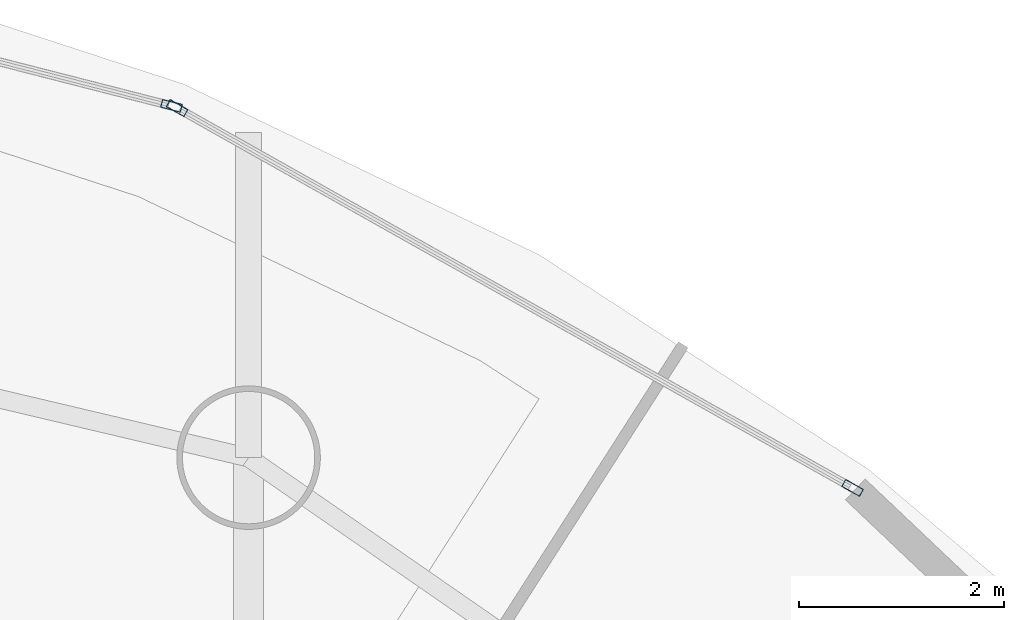
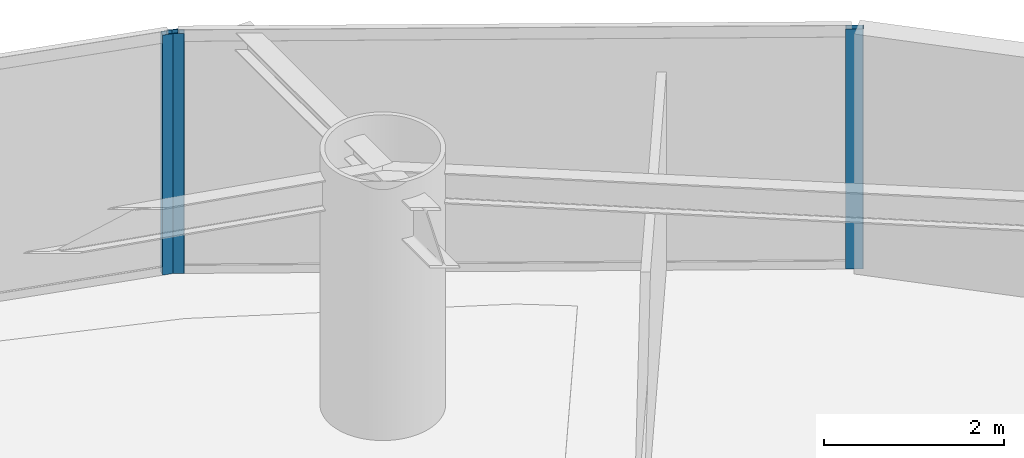
# One storey, part 14 of 22: 3 members, 2 elements without a shape of their own.
"""IFC4 building model written with IfcOpenShell, lengths in metres."""

from ifc_helpers import new_model, si_unit, direction, frame, origin, origin_2d, place, context, subcontext, project, spatial, hollow_rectangle, extrude, material, layer, layer_set, material_profile, profile_set, type_object, element, aggregate, save


model = new_model("IFC4")

# Units and contexts
model_context = context("Model", 3, precision=1e-05, world=origin(), true_north=direction((0.0, 1.0)))
body_context = subcontext(model_context, "Body", "Model", "MODEL_VIEW")
ifc_project = project(units=[si_unit("LENGTHUNIT", "METRE"), si_unit("AREAUNIT", "SQUARE_METRE"), si_unit("VOLUMEUNIT", "CUBIC_METRE"), si_unit("PLANEANGLEUNIT", "RADIAN"), si_unit("MASSUNIT", "GRAM", prefix="KILO")], contexts=[model_context])

# Site, building, storey
site_placement = place(None, origin())
site = spatial("IfcSite", under=ifc_project, at=site_placement, CompositionType="ELEMENT")
building_placement = place(site_placement, origin())
building = spatial("IfcBuilding", under=site, at=building_placement, Name="Bramvorn Convention Spire", CompositionType="ELEMENT")
storey_placement = place(building_placement, frame((0.0, 0.0, 120.300048828125)))
storey = spatial("IfcBuildingStorey", under=building, at=storey_placement, Name="L29", CompositionType="ELEMENT", Elevation=120.300048828125)

# Curtain wall, members
ifc_material_1 = material(Name="Anodised Bronze Unitised Curtain Wall", Category="aluminium")
ifc_layer = layer(ifc_material_1, 0.179931640625)
ifc_layer_set = layer_set([ifc_layer], Name="Anodised Bronze Unitised Curtain Wall - CW-HTL-FRIT")
curtain_wall_type = type_object("IfcCurtainWallType", Name="CW-HTL-FRIT", PredefinedType="USERDEFINED", material=ifc_layer_set)
curtain_wall_1_placement = place(storey_placement, origin())
curtain_wall_1 = element("IfcCurtainWall", 1, at=curtain_wall_1_placement, inside=storey, type_object=curtain_wall_type, Name="L29 fritted glass curtain wall 06", ObjectType="UNITISED CURTAIN WALL", PredefinedType="USERDEFINED")
ifc_material_2 = material(Name="Anodised Bronze Aluminium 6063-T6", Category="aluminium")
ifc_material_profile = material_profile(ifc_material_2, hollow_rectangle(XDim=0.080078125, YDim=0.199951171875, WallThickness=0.00390625, InnerFilletRadius=0.0009765625, OuterFilletRadius=0.00390625, at=origin_2d()))
ifc_profile_set = profile_set([ifc_material_profile], Name="Anodised Bronze Aluminium 6063-T6 - CWM80X200")
member_type = type_object("IfcMemberType", Name="CW-MUL-180", PredefinedType="MULLION", material=ifc_profile_set)
member_1_placement = place(storey_placement, frame((45.385498046875, 47.562744140625, 0.0), z_axis=(0.0, 0.0, 1.0), x_axis=(0.490112892413, 0.871658965818, 0.0)))
member_1 = element("IfcMember", 2, at=member_1_placement, type_object=member_type, Name="CW2 mullion 1", PredefinedType="MULLION", context=body_context, shape_type="SweptSolid", body=[
    extrude(hollow_rectangle(XDim=0.080078125, YDim=0.199951171875, WallThickness=0.00390625, InnerFilletRadius=0.0009765625, OuterFilletRadius=0.00390625, at=origin_2d()), origin(), (0.0, 0.0, 1.0), 3.260009765625),
])
member_2_placement = place(storey_placement, frame((51.97314453125, 43.85888671875, 0.0), z_axis=(0.0, 0.0, 1.0), x_axis=(0.490112892413, 0.871658965818, 0.0)))
member_2 = element("IfcMember", 3, at=member_2_placement, type_object=member_type, Name="CW2 mullion 2", PredefinedType="MULLION", context=body_context, shape_type="SweptSolid", body=[
    extrude(hollow_rectangle(XDim=0.080078125, YDim=0.199951171875, WallThickness=0.00390625, InnerFilletRadius=0.0009765625, OuterFilletRadius=0.00390625, at=origin_2d()), origin(), (0.0, 0.0, 1.0), 3.260009765625),
])
aggregate(curtain_wall_1, [member_1, member_2])

# Curtain wall, member
curtain_wall_2_placement = place(storey_placement, origin())
curtain_wall_2 = element("IfcCurtainWall", 4, at=curtain_wall_2_placement, inside=storey, type_object=curtain_wall_type, Name="L29 fritted glass curtain wall 07", ObjectType="UNITISED CURTAIN WALL", PredefinedType="USERDEFINED")
member_3_placement = place(storey_placement, frame((45.330322265625, 47.5849609375, 0.0), z_axis=(0.0, 0.0, 1.0), x_axis=(0.247875657939, 0.968791854942, 0.0)))
member_3 = element("IfcMember", 5, at=member_3_placement, type_object=member_type, Name="CW2 mullion 2", PredefinedType="MULLION", context=body_context, shape_type="SweptSolid", body=[
    extrude(hollow_rectangle(XDim=0.080078125, YDim=0.199951171875, WallThickness=0.00390625, InnerFilletRadius=0.0009765625, OuterFilletRadius=0.00390625, at=origin_2d()), origin(), (0.0, 0.0, 1.0), 3.260009765625),
])
aggregate(curtain_wall_2, [member_3])

save(model, "model.ifc")
